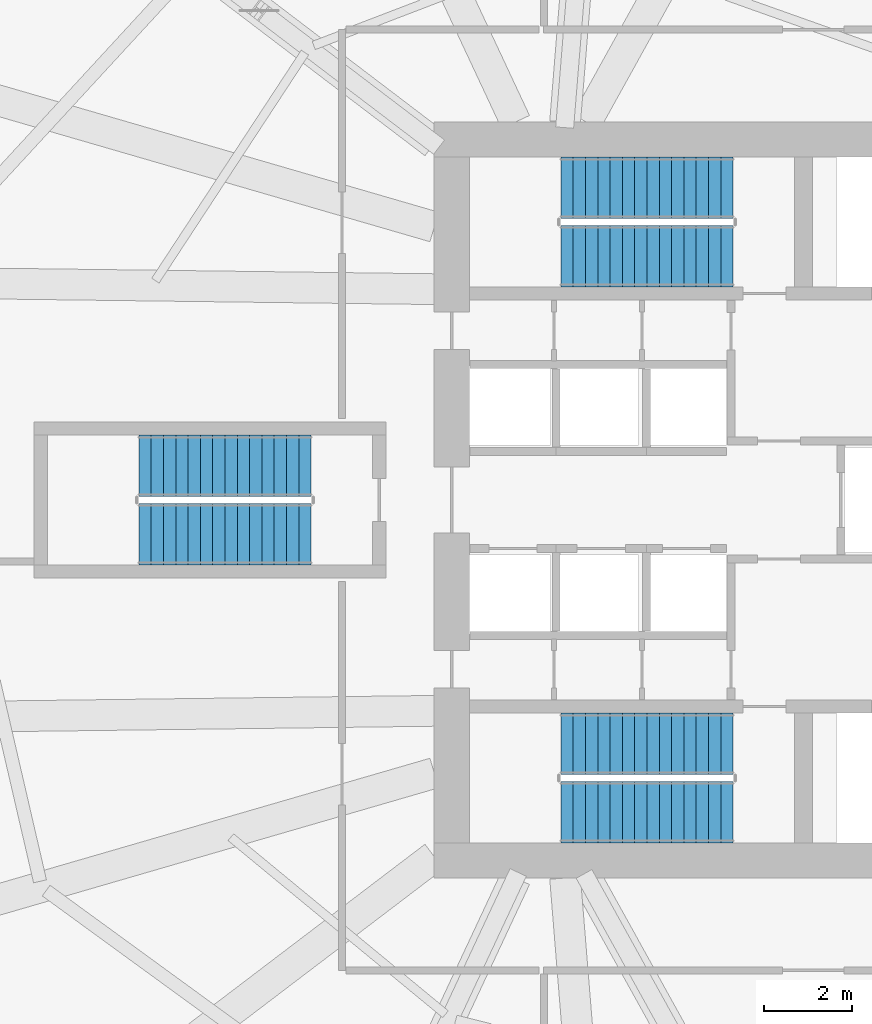
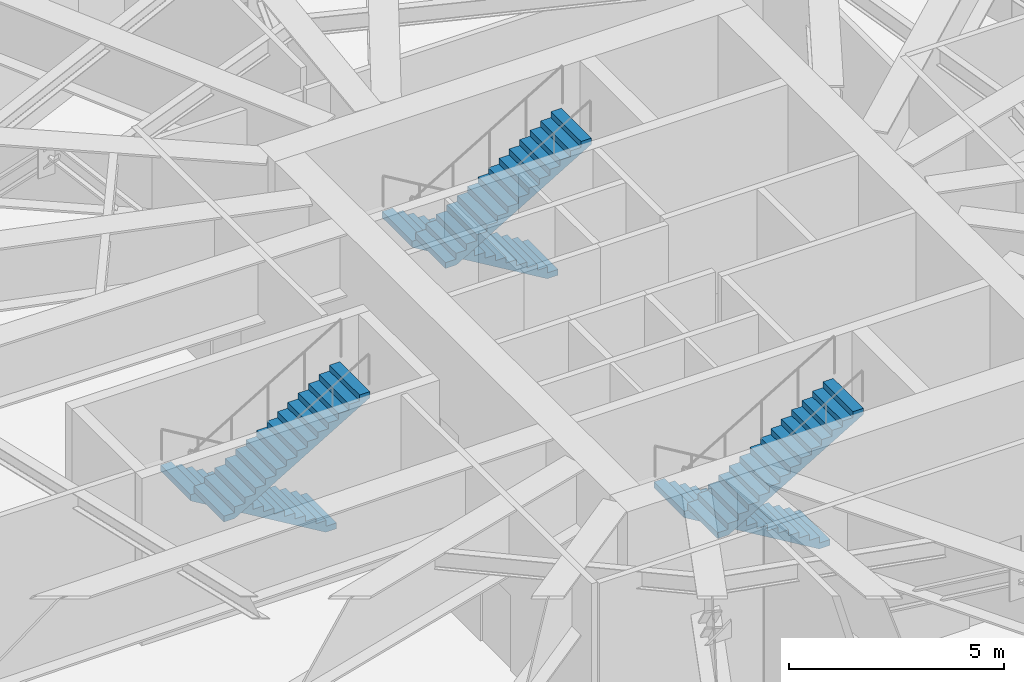
# One storey, part 6 of 9: 6 stair flights, 3 elements without a shape of their own.
"""IFC4 building model written with IfcOpenShell, lengths in metres."""

from ifc_helpers import new_model, si_unit, direction, frame, origin, place, context, subcontext, project, spatial, polyline, outline, extrude, source, transform, mapped, material, type_object, element, aggregate, save


model = new_model("IFC4")

# Units and contexts
model_context = context("Model", 3, precision=1e-05, world=origin(), true_north=direction((0.0, 1.0)))
body_context = subcontext(model_context, "Body", "Model", "MODEL_VIEW")
ifc_project = project(units=[si_unit("LENGTHUNIT", "METRE"), si_unit("AREAUNIT", "SQUARE_METRE"), si_unit("VOLUMEUNIT", "CUBIC_METRE"), si_unit("PLANEANGLEUNIT", "RADIAN"), si_unit("MASSUNIT", "GRAM", prefix="KILO")], contexts=[model_context])

# Site, building, storey
site_placement = place(None, origin())
site = spatial("IfcSite", under=ifc_project, at=site_placement, CompositionType="ELEMENT")
building_placement = place(site_placement, origin())
building = spatial("IfcBuilding", under=site, at=building_placement, Name="Qafzar Sky-Pleat Residences", CompositionType="ELEMENT")
storey_placement = place(building_placement, frame((0.0, 0.0, 65.39990234375)))
storey = spatial("IfcBuildingStorey", under=building, at=storey_placement, Name="L19", CompositionType="ELEMENT", Elevation=65.39990234375)

# Stair, stair flights
ifc_material = material(Name="Concrete C40/50", Category="concrete")
stair_type = type_object("IfcStairType", Name="STAIR-H500", PredefinedType="HALF_TURN_STAIR", material=ifc_material)
stair_1_placement = place(storey_placement, origin())
stair_1 = element("IfcStair", 1, at=stair_1_placement, inside=storey, type_object=stair_type, Name="L19 Protected Exit Stair ST1", PredefinedType="HALF_TURN_STAIR")
stair_flight_type = type_object("IfcStairFlightType", Name="FLIGHT-H500", PredefinedType="STRAIGHT", material=ifc_material)
shared_shape = source(origin(), body_context, "Body", "SweptSolid", [
    extrude(outline(polyline([(0.0, 0.0), (0.0, 0.166748046875), (0.280029296875, 0.166748046875), (0.280029296875, 0.333251953125), (0.56005859375, 0.333251953125), (0.56005859375, 0.5), (0.840087890625, 0.5), (0.840087890625, 0.666748046875), (1.1201171875, 0.666748046875), (1.1201171875, 0.833251953125), (1.39990234375, 0.833251953125), (1.39990234375, 1.0), (1.679931640625, 1.0), (1.679931640625, 1.166748046875), (1.9599609375, 1.166748046875), (1.9599609375, 1.333251953125), (2.239990234375, 1.333251953125), (2.239990234375, 1.5), (2.52001953125, 1.5), (2.52001953125, 1.666748046875), (2.800048828125, 1.666748046875), (2.800048828125, 1.833251953125), (3.080078125, 1.833251953125), (3.080078125, 2.0), (3.360107421875, 2.0), (3.360107421875, 2.166748046875), (3.639892578125, 2.166748046875), (3.639892578125, 2.333251953125), (3.919921875, 2.333251953125), (3.919921875, 2.5), (3.919921875, 2.158935546875), (0.29296875, 0.0), (0.0, 0.0)])), frame((0.0, 0.699951171875, 0.0), z_axis=(0.0, -1.0, 0.0), x_axis=(1.0, 0.0, 0.0)), (0.0, 0.0, 1.0), 1.39990234375),
])
stair_flight_1_placement = place(storey_placement, frame((30.800048828125, 20.449951171875, 0.0), z_axis=(0.0, 0.0, 1.0), x_axis=(-1.0, 0.0, 0.0)))
stair_flight_1 = element("IfcStairFlight", 2, at=stair_flight_1_placement, type_object=stair_flight_type, Name="ST1 flight 1", NumberOfRisers=15, NumberOfTreads=14, PredefinedType="STRAIGHT", RiserHeight=0.166666667, TreadLength=0.28, context=body_context, shape_type="MappedRepresentation", body=[
    mapped(shared_shape, transform((0.0, 0.0, 0.0), x_axis=(1.0, 0.0, 0.0), y_axis=(0.0, 1.0, 0.0), z_axis=(0.0, 0.0, 1.0), scale=1.0)),
])
stair_flight_2_placement = place(storey_placement, frame((26.8798828125, 18.89990234375, 2.5), z_axis=(0.0, 0.0, 1.0), x_axis=(1.0, 0.0, 0.0)))
stair_flight_2 = element("IfcStairFlight", 3, at=stair_flight_2_placement, type_object=stair_flight_type, Name="ST1 flight 2", NumberOfRisers=15, NumberOfTreads=14, PredefinedType="STRAIGHT", RiserHeight=0.166666667, TreadLength=0.28, context=body_context, shape_type="MappedRepresentation", body=[
    mapped(shared_shape, transform((0.0, 0.0, 0.0), x_axis=(1.0, 0.0, 0.0), y_axis=(0.0, 1.0, 0.0), z_axis=(0.0, 0.0, 1.0), scale=1.0)),
])
aggregate(stair_1, [stair_flight_1, stair_flight_2])

stair_2_placement = place(storey_placement, origin())
stair_2 = element("IfcStair", 4, at=stair_2_placement, inside=storey, type_object=stair_type, Name="L19 Protected Exit Stair ST2", PredefinedType="HALF_TURN_STAIR")
stair_flight_3_placement = place(storey_placement, frame((30.800048828125, 33.10009765625, 0.0), z_axis=(0.0, 0.0, 1.0), x_axis=(-1.0, 0.0, 0.0)))
stair_flight_3 = element("IfcStairFlight", 5, at=stair_flight_3_placement, type_object=stair_flight_type, Name="ST2 flight 1", NumberOfRisers=15, NumberOfTreads=14, PredefinedType="STRAIGHT", RiserHeight=0.166666667, TreadLength=0.28, context=body_context, shape_type="MappedRepresentation", body=[
    mapped(shared_shape, transform((0.0, 0.0, 0.0), x_axis=(1.0, 0.0, 0.0), y_axis=(0.0, 1.0, 0.0), z_axis=(0.0, 0.0, 1.0), scale=1.0)),
])
stair_flight_4_placement = place(storey_placement, frame((26.8798828125, 31.550048828125, 2.5), z_axis=(0.0, 0.0, 1.0), x_axis=(1.0, 0.0, 0.0)))
stair_flight_4 = element("IfcStairFlight", 6, at=stair_flight_4_placement, type_object=stair_flight_type, Name="ST2 flight 2", NumberOfRisers=15, NumberOfTreads=14, PredefinedType="STRAIGHT", RiserHeight=0.166666667, TreadLength=0.28, context=body_context, shape_type="MappedRepresentation", body=[
    mapped(shared_shape, transform((0.0, 0.0, 0.0), x_axis=(1.0, 0.0, 0.0), y_axis=(0.0, 1.0, 0.0), z_axis=(0.0, 0.0, 1.0), scale=1.0)),
])
aggregate(stair_2, [stair_flight_3, stair_flight_4])

stair_3_placement = place(storey_placement, origin())
stair_3 = element("IfcStair", 7, at=stair_3_placement, inside=storey, type_object=stair_type, Name="L19 Protected Exit Stair ST3", PredefinedType="HALF_TURN_STAIR")
stair_flight_5_placement = place(storey_placement, frame((21.199951171875, 26.77490234375, 0.0), z_axis=(0.0, 0.0, 1.0), x_axis=(-1.0, 0.0, 0.0)))
stair_flight_5 = element("IfcStairFlight", 8, at=stair_flight_5_placement, type_object=stair_flight_type, Name="ST3 flight 1", NumberOfRisers=15, NumberOfTreads=14, PredefinedType="STRAIGHT", RiserHeight=0.166666667, TreadLength=0.28, context=body_context, shape_type="MappedRepresentation", body=[
    mapped(shared_shape, transform((0.0, 0.0, 0.0), x_axis=(1.0, 0.0, 0.0), y_axis=(0.0, 1.0, 0.0), z_axis=(0.0, 0.0, 1.0), scale=1.0)),
])
stair_flight_6_placement = place(storey_placement, frame((17.280029296875, 25.22509765625, 2.5), z_axis=(0.0, 0.0, 1.0), x_axis=(1.0, 0.0, 0.0)))
stair_flight_6 = element("IfcStairFlight", 9, at=stair_flight_6_placement, type_object=stair_flight_type, Name="ST3 flight 2", NumberOfRisers=15, NumberOfTreads=14, PredefinedType="STRAIGHT", RiserHeight=0.166666667, TreadLength=0.28, context=body_context, shape_type="MappedRepresentation", body=[
    mapped(shared_shape, transform((0.0, 0.0, 0.0), x_axis=(1.0, 0.0, 0.0), y_axis=(0.0, 1.0, 0.0), z_axis=(0.0, 0.0, 1.0), scale=1.0)),
])
aggregate(stair_3, [stair_flight_5, stair_flight_6])

save(model, "model.ifc")
